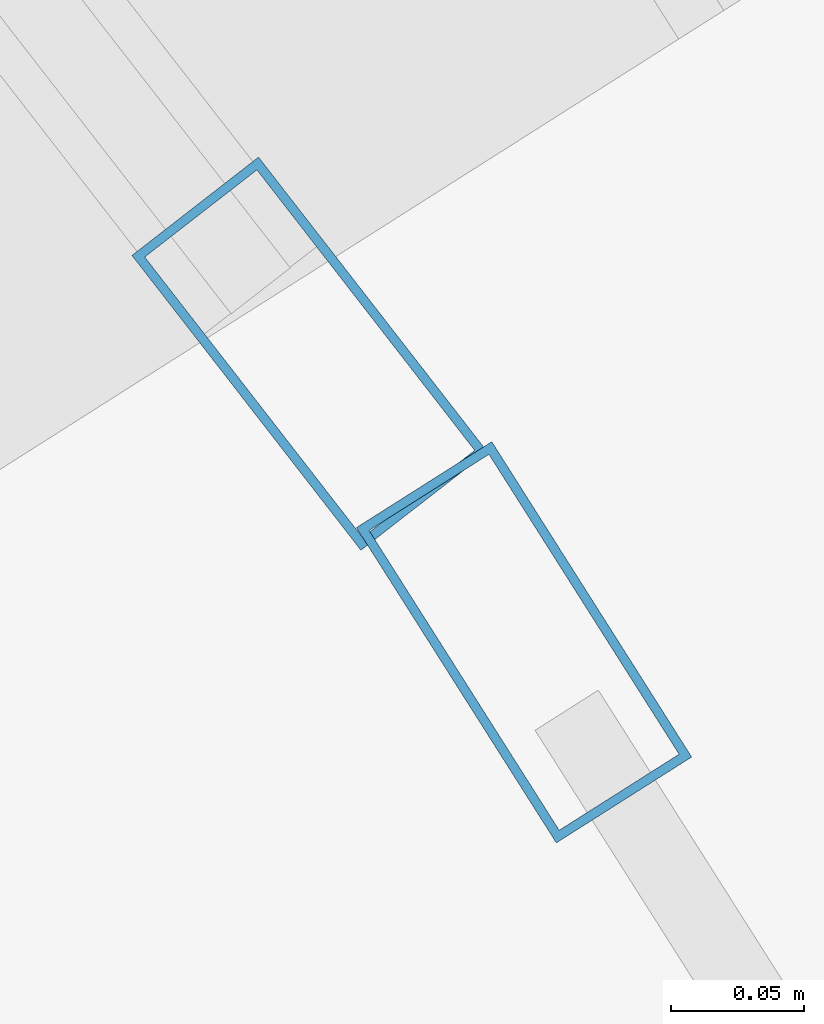
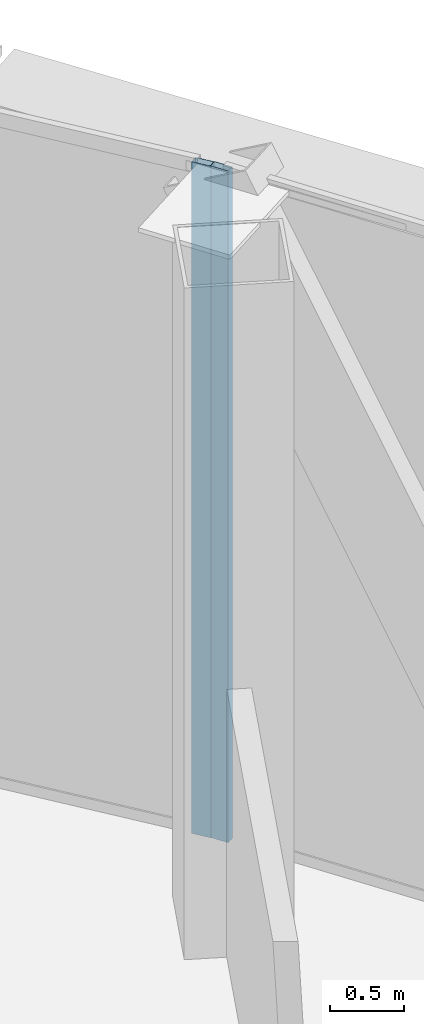
# One storey, part 24 of 33: 2 members, 2 elements without a shape of their own.
"""IFC4 building model written with IfcOpenShell, lengths in metres."""

from ifc_helpers import new_model, si_unit, direction, frame, origin, origin_2d, place, context, subcontext, project, spatial, hollow_rectangle, extrude, source, transform, mapped, material, layer, layer_set, material_profile, profile_set, type_object, element, aggregate, save


model = new_model("IFC4")

# Units and contexts
model_context = context("Model", 3, precision=1e-05, world=origin(), true_north=direction((0.0, 1.0)))
body_context = subcontext(model_context, "Body", "Model", "MODEL_VIEW")
ifc_project = project(units=[si_unit("LENGTHUNIT", "METRE"), si_unit("AREAUNIT", "SQUARE_METRE"), si_unit("VOLUMEUNIT", "CUBIC_METRE"), si_unit("PLANEANGLEUNIT", "RADIAN"), si_unit("MASSUNIT", "GRAM", prefix="KILO"), si_unit("THERMODYNAMICTEMPERATUREUNIT", "KELVIN"), si_unit("POWERUNIT", "WATT")], contexts=[model_context])

# Site, building, storey
site_placement = place(None, origin())
site = spatial("IfcSite", under=ifc_project, at=site_placement, CompositionType="ELEMENT")
building_placement = place(site_placement, origin())
building = spatial("IfcBuilding", under=site, at=building_placement, Name="Yunzhuo Pagoda Commons", CompositionType="ELEMENT")
storey_placement = place(building_placement, frame((0.0, 0.0, 314.860107421875)))
storey = spatial("IfcBuildingStorey", under=building, at=storey_placement, Name="L79", CompositionType="ELEMENT", Elevation=314.860107421875)

# Curtain wall, member
ifc_material = material(Name="Anodized aluminium 6063-T6", Category="aluminium")
ifc_layer = layer(ifc_material, 0.139892578125)
ifc_layer_set = layer_set([ifc_layer], Name="Anodized aluminium 6063-T6")
curtain_wall_type = type_object("IfcCurtainWallType", Name="CW-HI High-Zone Ribbon Curtain Wall", PredefinedType="NOTDEFINED", material=ifc_layer_set)
curtain_wall_1_placement = place(storey_placement, origin())
curtain_wall_1 = element("IfcCurtainWall", 1, at=curtain_wall_1_placement, inside=storey, type_object=curtain_wall_type, Name="L79 curtain wall CW-L79-F2B4", PredefinedType="NOTDEFINED")
ifc_material_profile = material_profile(ifc_material, hollow_rectangle(XDim=0.06005859375, YDim=0.139892578125, WallThickness=0.00341796875, at=origin_2d()), Name="Anodized aluminium 6063-T6")
ifc_profile_set = profile_set([ifc_material_profile], Name="Anodized aluminium 6063-T6")
member_type = type_object("IfcMemberType", Name="CW-HI-M Mullion RHS 140x60x3.5", PredefinedType="MULLION", material=ifc_profile_set)
shared_shape = source(origin(), body_context, "Body", "SweptSolid", [
    extrude(hollow_rectangle(XDim=0.06005859375, YDim=0.139892578125, WallThickness=0.00341796875, at=origin_2d()), origin(), (0.0, 0.0, 1.0), 5.56982421875),
])
member_1_placement = place(storey_placement, frame((60.557373046875, 61.84326171875, 0.0), z_axis=(0.0, 0.0, 1.0), x_axis=(-0.844512740935, -0.535535461383, 0.0)))
member_1 = element("IfcMember", 2, at=member_1_placement, type_object=member_type, Name="CW mullion 2", PredefinedType="MULLION", context=body_context, shape_type="MappedRepresentation", body=[
    mapped(shared_shape, transform((0.0, 0.0, 0.0), scale=1.0)),
])
aggregate(curtain_wall_1, [member_1])

curtain_wall_2_placement = place(storey_placement, origin())
curtain_wall_2 = element("IfcCurtainWall", 3, at=curtain_wall_2_placement, inside=storey, type_object=curtain_wall_type, Name="L79 curtain wall CW-L79-F2B5", PredefinedType="NOTDEFINED")
member_2_placement = place(storey_placement, frame((60.47705078125, 61.951416015625, 0.0), z_axis=(0.0, 0.0, 1.0), x_axis=(-0.789782734714, -0.61338669039, 0.0)))
member_2 = element("IfcMember", 4, at=member_2_placement, type_object=member_type, Name="CW mullion 1", PredefinedType="MULLION", context=body_context, shape_type="MappedRepresentation", body=[
    mapped(shared_shape, transform((0.0, 0.0, 0.0), scale=1.0)),
])
aggregate(curtain_wall_2, [member_2])

save(model, "model.ifc")
